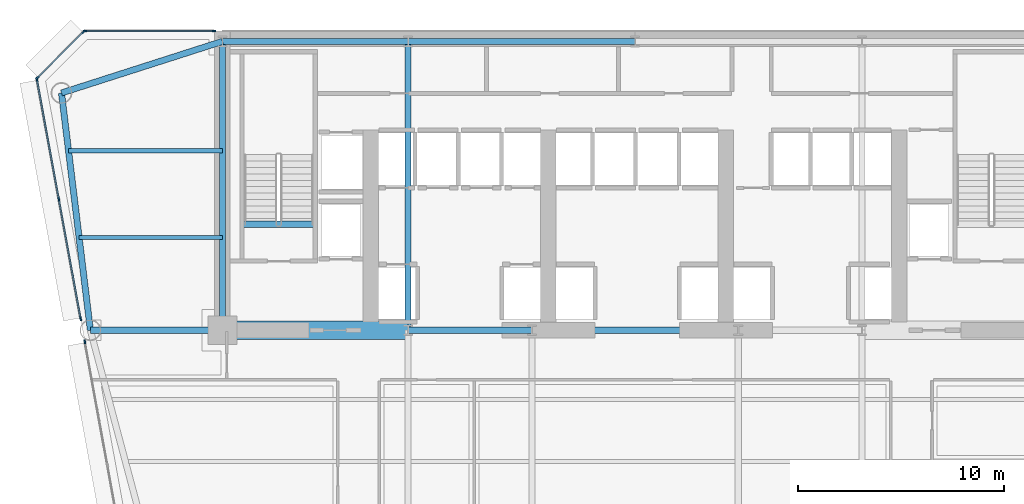
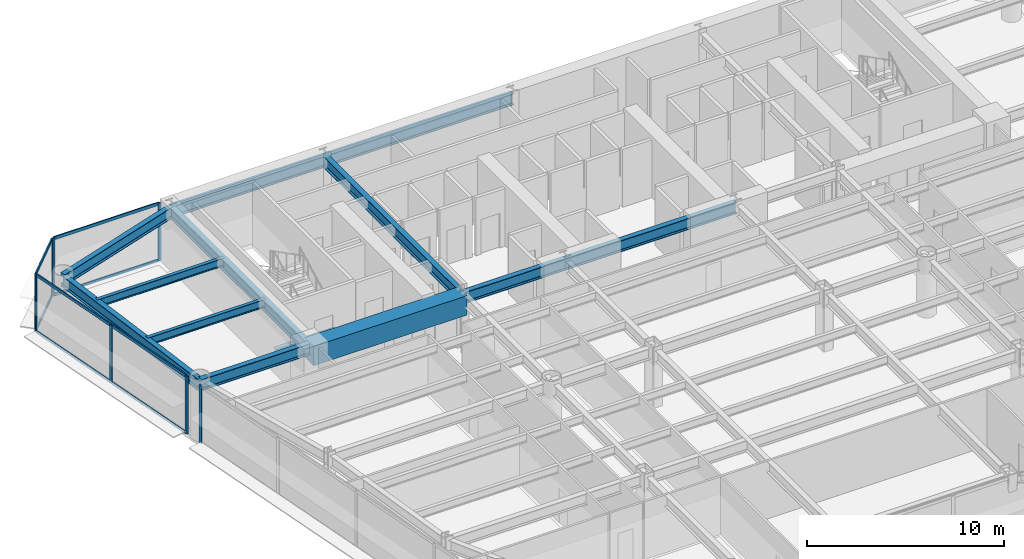
# One storey, part 5 of 14: 16 members, 13 beams, 4 elements without a shape of their own.
"""IFC4 building model written with IfcOpenShell, lengths in metres."""

from ifc_helpers import new_model, si_unit, direction, frame, origin, origin_2d, place, context, subcontext, project, spatial, rectangle, i_section, extrude, source, transform, mapped, material, layer, layer_set, material_profile, profile_set, type_object, element, aggregate, save


model = new_model("IFC4")

# Units and contexts
model_context = context("Model", 3, precision=1e-05, world=origin(), true_north=direction((0.0, 1.0)))
body_context = subcontext(model_context, "Body", "Model", "MODEL_VIEW")
ifc_project = project(units=[si_unit("LENGTHUNIT", "METRE"), si_unit("AREAUNIT", "SQUARE_METRE"), si_unit("VOLUMEUNIT", "CUBIC_METRE"), si_unit("PLANEANGLEUNIT", "RADIAN"), si_unit("MASSUNIT", "GRAM", prefix="KILO")], contexts=[model_context])

# Site, building, storey
site_placement = place(None, origin())
site = spatial("IfcSite", under=ifc_project, at=site_placement, CompositionType="ELEMENT")
building_placement = place(site_placement, origin())
building = spatial("IfcBuilding", under=site, at=building_placement, Name="Vaeldorn Concourse Tower", CompositionType="ELEMENT")
storey_placement = place(building_placement, frame((0.0, 0.0, 88.199951171875)))
storey = spatial("IfcBuildingStorey", under=building, at=storey_placement, Name="L22", CompositionType="ELEMENT", Elevation=88.199951171875)

# Beams
ifc_material_1 = material(Name="Concrete C60/75", Category="concrete")
ifc_material_profile_1 = material_profile(ifc_material_1, rectangle(XDim=0.89990234375, YDim=1.199951171875, at=origin_2d()), Name="RC 900x1200")
ifc_profile_set_1 = profile_set([ifc_material_profile_1], Name="Concrete C60/75")
beam_type_1 = type_object("IfcBeamType", Name="BM-CB-RC900", PredefinedType="BEAM", material=ifc_profile_set_1)
shared_shape_1 = source(origin(), body_context, "Body", "SweptSolid", [
    extrude(rectangle(XDim=0.89990234375, YDim=1.199951171875, at=origin_2d()), origin(), (0.0, 0.0, 1.0), 9.0),
])
beam_1_placement = place(storey_placement, frame((14.0, 36.5, 2.97998046875), z_axis=(1.0, 0.0, 0.0), x_axis=(0.0, 1.0, 0.0)))
element("IfcBeam", 1, at=beam_1_placement, inside=storey, type_object=beam_type_1, Name="Core Coupling Beam L22-1", PredefinedType="BEAM", context=body_context, shape_type="MappedRepresentation", body=[
    mapped(shared_shape_1, transform((0.0, 0.0, 0.0), scale=1.0)),
])
ifc_material_2 = material(Name="Steel S355", Category="steel")
ifc_material_profile_2 = material_profile(ifc_material_2, i_section(OverallWidth=0.300048828125, OverallDepth=0.340087890625, WebThickness=0.011962890625, FlangeThickness=0.021484375, FilletRadius=0.027099609375, at=origin_2d()), Name="HEB 340")
ifc_profile_set_2 = profile_set([ifc_material_profile_2], Name="Steel S355")
beam_type_2 = type_object("IfcBeamType", Name="BM-ST-TRIM", PredefinedType="BEAM", material=ifc_profile_set_2)
shared_shape_2 = source(origin(), body_context, "Body", "SweptSolid", [
    extrude(i_section(OverallWidth=0.300048828125, OverallDepth=0.340087890625, WebThickness=0.011962890625, FlangeThickness=0.021484375, FilletRadius=0.027099609375, at=origin_2d()), origin(), (0.0, 0.0, 1.0), 3.590087890625),
])
beam_2_placement = place(storey_placement, frame((14.929931640625, 41.639892578125, -0.429931640625), z_axis=(1.0, 0.0, 0.0), x_axis=(0.0, 1.0, 0.0)))
element("IfcBeam", 2, at=beam_2_placement, inside=storey, type_object=beam_type_2, Name="Stair Landing Trimmer Beam ST-1 L22", PredefinedType="BEAM", context=body_context, shape_type="MappedRepresentation", body=[
    mapped(shared_shape_2, transform((0.0, 0.0, 0.0), scale=1.0)),
])
ifc_material_profile_3 = material_profile(ifc_material_2, i_section(OverallWidth=0.199951171875, OverallDepth=0.5, WebThickness=0.01025390625, FlangeThickness=0.01611328125, FilletRadius=0.02099609375, at=origin_2d()), Name="IPE 500")
ifc_profile_set_3 = profile_set([ifc_material_profile_3], Name="Steel S355")
beam_type_3 = type_object("IfcBeamType", Name="BM-JS-IPE500", PredefinedType="JOIST", material=ifc_profile_set_3)
shared_shape_3 = source(origin(), body_context, "Body", "SweptSolid", [
    extrude(i_section(OverallWidth=0.199951171875, OverallDepth=0.5, WebThickness=0.01025390625, FlangeThickness=0.01611328125, FilletRadius=0.02099609375, at=origin_2d()), origin(), (0.0, 0.0, 1.0), 6.94775390625),
])
beam_3_placement = place(storey_placement, frame((7.05224609375, 41.0, 3.330078125), z_axis=(1.0, 0.0, 0.0), x_axis=(0.0, 1.0, 0.0)))
element("IfcBeam", 3, at=beam_3_placement, inside=storey, type_object=beam_type_3, Name="Beam JS-L22-NW-410", PredefinedType="JOIST", context=body_context, shape_type="MappedRepresentation", body=[
    mapped(shared_shape_3, transform((0.0, 0.0, 0.0), scale=1.0)),
])
shared_shape_4 = source(origin(), body_context, "Body", "SweptSolid", [
    extrude(i_section(OverallWidth=0.199951171875, OverallDepth=0.5, WebThickness=0.01025390625, FlangeThickness=0.01611328125, FilletRadius=0.02099609375, at=origin_2d()), origin(), (0.0, 0.0, 1.0), 7.458984375),
])
beam_4_placement = place(storey_placement, frame((6.541015625, 45.199951171875, 3.330078125), z_axis=(1.0, 0.0, 0.0), x_axis=(0.0, 1.0, 0.0)))
element("IfcBeam", 4, at=beam_4_placement, inside=storey, type_object=beam_type_3, Name="Beam JS-L22-NW-452", PredefinedType="JOIST", context=body_context, shape_type="MappedRepresentation", body=[
    mapped(shared_shape_4, transform((0.0, 0.0, 0.0), scale=1.0)),
])
ifc_material_profile_4 = material_profile(ifc_material_2, i_section(OverallWidth=0.300048828125, OverallDepth=0.699951171875, WebThickness=0.01708984375, FlangeThickness=0.031982421875, FilletRadius=0.027099609375, at=origin_2d()), Name="HEB 700")
ifc_profile_set_4 = profile_set([ifc_material_profile_4], Name="Steel S355")
beam_type_4 = type_object("IfcBeamType", Name="BM-PG-HEB700", PredefinedType="BEAM", material=ifc_profile_set_4)
shared_shape_5 = source(origin(), body_context, "Body", "SweptSolid", [
    extrude(i_section(OverallWidth=0.300048828125, OverallDepth=0.699951171875, WebThickness=0.01708984375, FlangeThickness=0.031982421875, FilletRadius=0.027099609375, at=origin_2d()), origin(), (0.0, 0.0, 1.0), 6.0),
])
beam_5_placement = place(storey_placement, frame((23.0, 36.5, 3.22998046875), z_axis=(1.0, 0.0, 0.0), x_axis=(0.0, 1.0, 0.0)))
element("IfcBeam", 5, at=beam_5_placement, inside=storey, type_object=beam_type_4, Name="Beam BM-L22-C-FC2-C-FC3", PredefinedType="BEAM", context=body_context, shape_type="MappedRepresentation", body=[
    mapped(shared_shape_5, transform((0.0, 0.0, 0.0), scale=1.0)),
])
shared_shape_6 = source(origin(), body_context, "Body", "SweptSolid", [
    extrude(i_section(OverallWidth=0.300048828125, OverallDepth=0.699951171875, WebThickness=0.01708984375, FlangeThickness=0.031982421875, FilletRadius=0.027099609375, at=origin_2d()), origin(), (0.0, 0.0, 1.0), 10.0),
])
beam_6_placement = place(storey_placement, frame((29.0, 36.5, 3.22998046875), z_axis=(1.0, 0.0, 0.0), x_axis=(0.0, 1.0, 0.0)))
element("IfcBeam", 6, at=beam_6_placement, inside=storey, type_object=beam_type_4, Name="Beam BM-L22-C-FC3-C-FC4", PredefinedType="BEAM", context=body_context, shape_type="MappedRepresentation", body=[
    mapped(shared_shape_6, transform((0.0, 0.0, 0.0), scale=1.0)),
])
shared_shape_7 = source(origin(), body_context, "Body", "SweptSolid", [
    extrude(i_section(OverallWidth=0.300048828125, OverallDepth=0.699951171875, WebThickness=0.01708984375, FlangeThickness=0.031982421875, FilletRadius=0.027099609375, at=origin_2d()), origin(), (0.0, 0.0, 1.0), 9.0),
])
beam_7_placement = place(storey_placement, frame((14.0, 50.5, 3.22998046875), z_axis=(1.0, 0.0, 0.0), x_axis=(0.0, 1.0, 0.0)))
element("IfcBeam", 7, at=beam_7_placement, inside=storey, type_object=beam_type_4, Name="Beam BM-L22-C-HC1-C-HC2", PredefinedType="BEAM", context=body_context, shape_type="MappedRepresentation", body=[
    mapped(shared_shape_7, transform((0.0, 0.0, 0.0), scale=1.0)),
])
shared_shape_8 = source(origin(), body_context, "Body", "SweptSolid", [
    extrude(i_section(OverallWidth=0.300048828125, OverallDepth=0.699951171875, WebThickness=0.01708984375, FlangeThickness=0.031982421875, FilletRadius=0.027099609375, at=origin_2d()), origin(), (0.0, 0.0, 1.0), 11.0),
])
beam_8_placement = place(storey_placement, frame((23.0, 50.5, 3.22998046875), z_axis=(1.0, 0.0, 0.0), x_axis=(0.0, 1.0, 0.0)))
element("IfcBeam", 8, at=beam_8_placement, inside=storey, type_object=beam_type_4, Name="Beam BM-L22-C-HC2-C-HC3", PredefinedType="BEAM", context=body_context, shape_type="MappedRepresentation", body=[
    mapped(shared_shape_8, transform((0.0, 0.0, 0.0), scale=1.0)),
])
shared_shape_9 = source(origin(), body_context, "Body", "SweptSolid", [
    extrude(i_section(OverallWidth=0.300048828125, OverallDepth=0.699951171875, WebThickness=0.01708984375, FlangeThickness=0.031982421875, FilletRadius=0.027099609375, at=origin_2d()), origin(), (0.0, 0.0, 1.0), 14.0),
])
for number, where, z_axis, x_axis, name in (
    (9, (14.0, 36.5, 3.22998046875), (0.0, 1.0, 0.0), (-1.0, 0.0, 0.0), "Beam BM-L22-C-FC1-C-HC1"),
    (10, (23.0, 36.5, 3.22998046875), (0.0, 1.0, 0.0), (-1.0, 0.0, 0.0), "Beam BM-L22-C-FC2-C-HC2"),
):
    element("IfcBeam", number, at=place(storey_placement, frame(where, z_axis=z_axis, x_axis=x_axis)), inside=storey, type_object=beam_type_4, Name=name, PredefinedType="BEAM", context=body_context, shape_type="MappedRepresentation", body=[
        mapped(shared_shape_9, transform((0.0, 0.0, 0.0), scale=1.0)),
    ])
shared_shape_10 = source(origin(), body_context, "Body", "SweptSolid", [
    extrude(i_section(OverallWidth=0.300048828125, OverallDepth=0.699951171875, WebThickness=0.01708984375, FlangeThickness=0.031982421875, FilletRadius=0.027099609375, at=origin_2d()), origin(), (0.0, 0.0, 1.0), 8.19091796875),
])
beam_9_placement = place(storey_placement, frame((6.199951171875, 48.0, 3.22998046875), z_axis=(0.952282843383, 0.305216949396, 0.0), x_axis=(-0.305216949396, 0.952282843383, 0.0)))
element("IfcBeam", 11, at=beam_9_placement, inside=storey, type_object=beam_type_4, Name="Beam BM-L22-C-NW1-C-HC1", PredefinedType="BEAM", context=body_context, shape_type="MappedRepresentation", body=[
    mapped(shared_shape_10, transform((0.0, 0.0, 0.0), scale=1.0)),
])
shared_shape_11 = source(origin(), body_context, "Body", "SweptSolid", [
    extrude(i_section(OverallWidth=0.300048828125, OverallDepth=0.699951171875, WebThickness=0.01708984375, FlangeThickness=0.031982421875, FilletRadius=0.027099609375, at=origin_2d()), origin(), (0.0, 0.0, 1.0), 11.5849609375),
])
beam_10_placement = place(storey_placement, frame((6.199951171875, 48.0, 3.22998046875), z_axis=(0.120859382899, -0.992669637677, 0.0), x_axis=(0.992669637677, 0.120859382899, 0.0)))
element("IfcBeam", 12, at=beam_10_placement, inside=storey, type_object=beam_type_4, Name="Beam BM-L22-C-NW1-C-NW2", PredefinedType="BEAM", context=body_context, shape_type="MappedRepresentation", body=[
    mapped(shared_shape_11, transform((0.0, 0.0, 0.0), scale=1.0)),
])
shared_shape_12 = source(origin(), body_context, "Body", "SweptSolid", [
    extrude(i_section(OverallWidth=0.300048828125, OverallDepth=0.699951171875, WebThickness=0.01708984375, FlangeThickness=0.031982421875, FilletRadius=0.027099609375, at=origin_2d()), origin(), (0.0, 0.0, 1.0), 6.39990234375),
])
beam_11_placement = place(storey_placement, frame((7.60009765625, 36.5, 3.22998046875), z_axis=(1.0, 0.0, 0.0), x_axis=(0.0, 1.0, 0.0)))
element("IfcBeam", 13, at=beam_11_placement, inside=storey, type_object=beam_type_4, Name="Beam BM-L22-C-NW2-C-FC1", PredefinedType="BEAM", context=body_context, shape_type="MappedRepresentation", body=[
    mapped(shared_shape_12, transform((0.0, 0.0, 0.0), scale=1.0)),
])

# Curtain wall, members
ifc_material_3 = material(Name="Anodised Bronze Aluminium", Category="aluminium")
ifc_layer = layer(ifc_material_3, 0.199951171875)
ifc_layer_set = layer_set([ifc_layer], Name="Anodised Bronze Aluminium")
curtain_wall_type = type_object("IfcCurtainWallType", Name="CW-SYS-02", PredefinedType="NOTDEFINED", material=ifc_layer_set)
curtain_wall_1_placement = place(storey_placement, origin())
curtain_wall_1 = element("IfcCurtainWall", 14, at=curtain_wall_1_placement, inside=storey, type_object=curtain_wall_type, Name="Unitised Curtain Wall CW-L22-E10-1", PredefinedType="NOTDEFINED")
ifc_material_profile_5 = material_profile(ifc_material_3, rectangle(XDim=0.074951171875, YDim=0.179931640625, at=origin_2d()), Name="CWT 75x180")
ifc_profile_set_5 = profile_set([ifc_material_profile_5], Name="Anodised Bronze Aluminium")
member_type_1 = type_object("IfcMemberType", Name="CWT-BRONZE-180", PredefinedType="USERDEFINED", material=ifc_profile_set_5)
shared_shape_13 = source(origin(), body_context, "Body", "SweptSolid", [
    extrude(rectangle(XDim=0.074951171875, YDim=0.179931640625, at=origin_2d()), origin(), (0.0, 0.0, 1.0), 3.10302734375),
])
member_1_placement = place(storey_placement, frame((7.2470703125, 50.947021484375, 0.03759765625), z_axis=(-0.707106781187, -0.707106781187, 0.0), x_axis=(0.707106781187, -0.707106781187, 0.0)))
member_1 = element("IfcMember", 15, at=member_1_placement, type_object=member_type_1, Name="CW-02 transom 1.1", ObjectType="TRANSOM", PredefinedType="USERDEFINED", context=body_context, shape_type="MappedRepresentation", body=[
    mapped(shared_shape_13, transform((0.0, 0.0, 0.0), scale=1.0)),
])
member_2_placement = place(storey_placement, frame((7.2470703125, 50.947021484375, 3.54248046875), z_axis=(-0.707106781187, -0.707106781187, 0.0), x_axis=(0.707106781187, -0.707106781187, 0.0)))
member_2 = element("IfcMember", 16, at=member_2_placement, type_object=member_type_1, Name="CW-02 transom 1.2", ObjectType="TRANSOM", PredefinedType="USERDEFINED", context=body_context, shape_type="MappedRepresentation", body=[
    mapped(shared_shape_13, transform((0.0, 0.0, 0.0), scale=1.0)),
])

curtain_wall_2_placement = place(storey_placement, origin())
curtain_wall_2 = element("IfcCurtainWall", 17, at=curtain_wall_2_placement, inside=storey, type_object=curtain_wall_type, Name="Unitised Curtain Wall CW-L22-E09-2", PredefinedType="NOTDEFINED")
ifc_material_profile_6 = material_profile(ifc_material_3, rectangle(XDim=0.074951171875, YDim=0.18994140625, at=origin_2d()), Name="CWM 75x190")
ifc_profile_set_6 = profile_set([ifc_material_profile_6], Name="Anodised Bronze Aluminium")
member_type_2 = type_object("IfcMemberType", Name="CWM-BRONZE-190", PredefinedType="MULLION", material=ifc_profile_set_6)
shared_shape_14 = source(origin(), body_context, "Body", "SweptSolid", [
    extrude(rectangle(XDim=0.074951171875, YDim=0.18994140625, at=origin_2d()), origin(), (0.0, 0.0, 1.0), 3.580078125),
])
member_3_placement = place(storey_placement, frame((13.592529296875, 51.0, 0.0), z_axis=(0.0, 0.0, 1.0), x_axis=(0.0, -1.0, 0.0)))
member_3 = element("IfcMember", 18, at=member_3_placement, type_object=member_type_2, Name="CW-02 mullion 1", PredefinedType="MULLION", context=body_context, shape_type="MappedRepresentation", body=[
    mapped(shared_shape_14, transform((0.0, 0.0, 0.0), scale=1.0)),
])
member_4_placement = place(storey_placement, frame((7.33740234375, 51.0, 0.0), z_axis=(0.0, 0.0, 1.0), x_axis=(0.0, -1.0, 0.0)))
member_4 = element("IfcMember", 19, at=member_4_placement, type_object=member_type_2, Name="CW-02 mullion 2", PredefinedType="MULLION", context=body_context, shape_type="MappedRepresentation", body=[
    mapped(shared_shape_14, transform((0.0, 0.0, 0.0), scale=1.0)),
])

# Member
member_5_placement = place(storey_placement, frame((7.2734375, 50.973388671875, 0.0), z_axis=(0.0, 0.0, 1.0), x_axis=(0.707106781187, -0.707106781187, 0.0)))
member_5 = element("IfcMember", 20, at=member_5_placement, type_object=member_type_2, Name="CW-02 mullion 1", PredefinedType="MULLION", context=body_context, shape_type="MappedRepresentation", body=[
    mapped(shared_shape_14, transform((0.0, 0.0, 0.0), scale=1.0)),
])

member_6_placement = place(storey_placement, frame((5.026611328125, 48.7265625, 0.0), z_axis=(0.0, 0.0, 1.0), x_axis=(0.707106781187, -0.707106781187, 0.0)))
member_6 = element("IfcMember", 21, at=member_6_placement, type_object=member_type_2, Name="CW-02 mullion 2", PredefinedType="MULLION", context=body_context, shape_type="MappedRepresentation", body=[
    mapped(shared_shape_14, transform((0.0, 0.0, 0.0), scale=1.0)),
])

aggregate(curtain_wall_1, [member_5, member_6, member_1, member_2])

# Curtain wall, members
curtain_wall_3_placement = place(storey_placement, origin())
curtain_wall_3 = element("IfcCurtainWall", 22, at=curtain_wall_3_placement, inside=storey, type_object=curtain_wall_type, Name="Unitised Curtain Wall CW-L22-E11-1", PredefinedType="NOTDEFINED")
member_7_placement = place(storey_placement, frame((5.0068359375, 48.6630859375, 0.0), z_axis=(0.0, 0.0, 1.0), x_axis=(0.983712433121, 0.179749405906, 0.0)))
member_7 = element("IfcMember", 23, at=member_7_placement, type_object=member_type_2, Name="CW-02 mullion 1", PredefinedType="MULLION", context=body_context, shape_type="MappedRepresentation", body=[
    mapped(shared_shape_14, transform((0.0, 0.0, 0.0), scale=1.0)),
])
member_8_placement = place(storey_placement, frame((6.0673828125, 42.85888671875, 0.0), z_axis=(0.0, 0.0, 1.0), x_axis=(0.983712433121, 0.179749405906, 0.0)))
member_8 = element("IfcMember", 24, at=member_8_placement, type_object=member_type_2, Name="CW-02 mullion 2", PredefinedType="MULLION", context=body_context, shape_type="MappedRepresentation", body=[
    mapped(shared_shape_14, transform((0.0, 0.0, 0.0), scale=1.0)),
])
member_9_placement = place(storey_placement, frame((7.1279296875, 37.054931640625, 0.0), z_axis=(0.0, 0.0, 1.0), x_axis=(0.983712433121, 0.179749405906, 0.0)))
member_9 = element("IfcMember", 25, at=member_9_placement, type_object=member_type_2, Name="CW-02 mullion 3", PredefinedType="MULLION", context=body_context, shape_type="MappedRepresentation", body=[
    mapped(shared_shape_14, transform((0.0, 0.0, 0.0), scale=1.0)),
])

# Curtain wall, member
curtain_wall_4_placement = place(storey_placement, origin())
curtain_wall_4 = element("IfcCurtainWall", 26, at=curtain_wall_4_placement, inside=storey, type_object=curtain_wall_type, Name="Unitised Curtain Wall CW-L22-E11-2", PredefinedType="NOTDEFINED")
member_10_placement = place(storey_placement, frame((7.33056640625, 35.945068359375, 0.0), z_axis=(0.0, 0.0, 1.0), x_axis=(0.983711798531, 0.179752878786, 0.0)))
member_10 = element("IfcMember", 27, at=member_10_placement, type_object=member_type_2, Name="CW-02 mullion 1", PredefinedType="MULLION", context=body_context, shape_type="MappedRepresentation", body=[
    mapped(shared_shape_14, transform((0.0, 0.0, 0.0), scale=1.0)),
])
aggregate(curtain_wall_4, [member_10])

# Member
shared_shape_15 = source(origin(), body_context, "Body", "SweptSolid", [
    extrude(rectangle(XDim=0.074951171875, YDim=0.179931640625, at=origin_2d()), origin(), (0.0, 0.0, 1.0), 5.8251953125),
])
member_11_placement = place(storey_placement, frame((5.013427734375, 48.626220703125, 0.03759765625), z_axis=(0.179759478977, -0.98371059246, 0.0), x_axis=(0.98371059246, 0.179759478977, 0.0)))
member_11 = element("IfcMember", 28, at=member_11_placement, type_object=member_type_1, Name="CW-02 transom 1.1", ObjectType="TRANSOM", PredefinedType="USERDEFINED", context=body_context, shape_type="MappedRepresentation", body=[
    mapped(shared_shape_15, transform((0.0, 0.0, 0.0), scale=1.0)),
])

member_12_placement = place(storey_placement, frame((5.013427734375, 48.626220703125, 3.54248046875), z_axis=(0.179759478977, -0.98371059246, 0.0), x_axis=(0.98371059246, 0.179759478977, 0.0)))
member_12 = element("IfcMember", 29, at=member_12_placement, type_object=member_type_1, Name="CW-02 transom 1.2", ObjectType="TRANSOM", PredefinedType="USERDEFINED", context=body_context, shape_type="MappedRepresentation", body=[
    mapped(shared_shape_15, transform((0.0, 0.0, 0.0), scale=1.0)),
])

member_13_placement = place(storey_placement, frame((6.073974609375, 42.822021484375, 0.03759765625), z_axis=(0.179759478977, -0.98371059246, 0.0), x_axis=(0.98371059246, 0.179759478977, 0.0)))
member_13 = element("IfcMember", 30, at=member_13_placement, type_object=member_type_1, Name="CW-02 transom 2.1", ObjectType="TRANSOM", PredefinedType="USERDEFINED", context=body_context, shape_type="MappedRepresentation", body=[
    mapped(shared_shape_15, transform((0.0, 0.0, 0.0), scale=1.0)),
])

member_14_placement = place(storey_placement, frame((6.073974609375, 42.822021484375, 3.54248046875), z_axis=(0.179759478977, -0.98371059246, 0.0), x_axis=(0.98371059246, 0.179759478977, 0.0)))
member_14 = element("IfcMember", 31, at=member_14_placement, type_object=member_type_1, Name="CW-02 transom 2.2", ObjectType="TRANSOM", PredefinedType="USERDEFINED", context=body_context, shape_type="MappedRepresentation", body=[
    mapped(shared_shape_15, transform((0.0, 0.0, 0.0), scale=1.0)),
])

aggregate(curtain_wall_3, [member_7, member_8, member_9, member_11, member_12, member_13, member_14])

shared_shape_16 = source(origin(), body_context, "Body", "SweptSolid", [
    extrude(rectangle(XDim=0.074951171875, YDim=0.179931640625, at=origin_2d()), origin(), (0.0, 0.0, 1.0), 6.179931640625),
])
member_15_placement = place(storey_placement, frame((13.554931640625, 51.0, 0.03759765625), z_axis=(-1.0, 0.0, 0.0), x_axis=(0.0, -1.0, 0.0)))
member_15 = element("IfcMember", 32, at=member_15_placement, type_object=member_type_1, Name="CW-02 transom 1.1", ObjectType="TRANSOM", PredefinedType="USERDEFINED", context=body_context, shape_type="MappedRepresentation", body=[
    mapped(shared_shape_16, transform((0.0, 0.0, 0.0), scale=1.0)),
])

member_16_placement = place(storey_placement, frame((13.554931640625, 51.0, 3.54248046875), z_axis=(-1.0, 0.0, 0.0), x_axis=(0.0, -1.0, 0.0)))
member_16 = element("IfcMember", 33, at=member_16_placement, type_object=member_type_1, Name="CW-02 transom 1.2", ObjectType="TRANSOM", PredefinedType="USERDEFINED", context=body_context, shape_type="MappedRepresentation", body=[
    mapped(shared_shape_16, transform((0.0, 0.0, 0.0), scale=1.0)),
])

aggregate(curtain_wall_2, [member_3, member_4, member_15, member_16])

save(model, "model.ifc")
